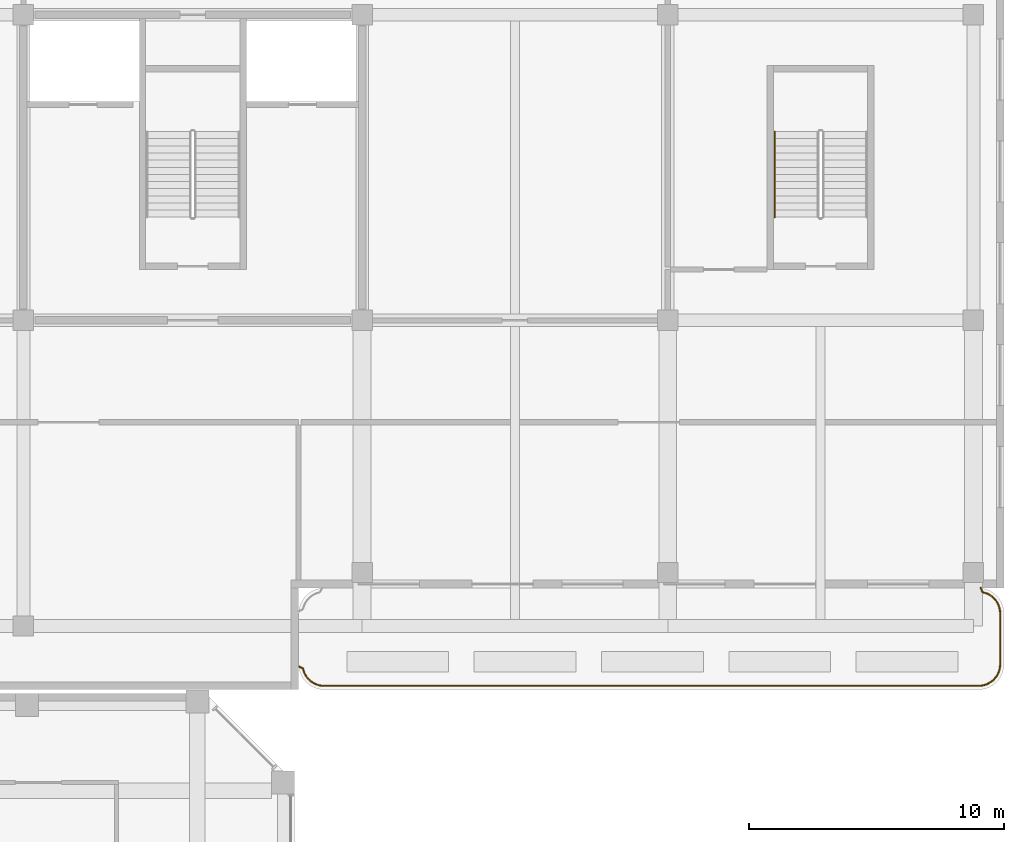
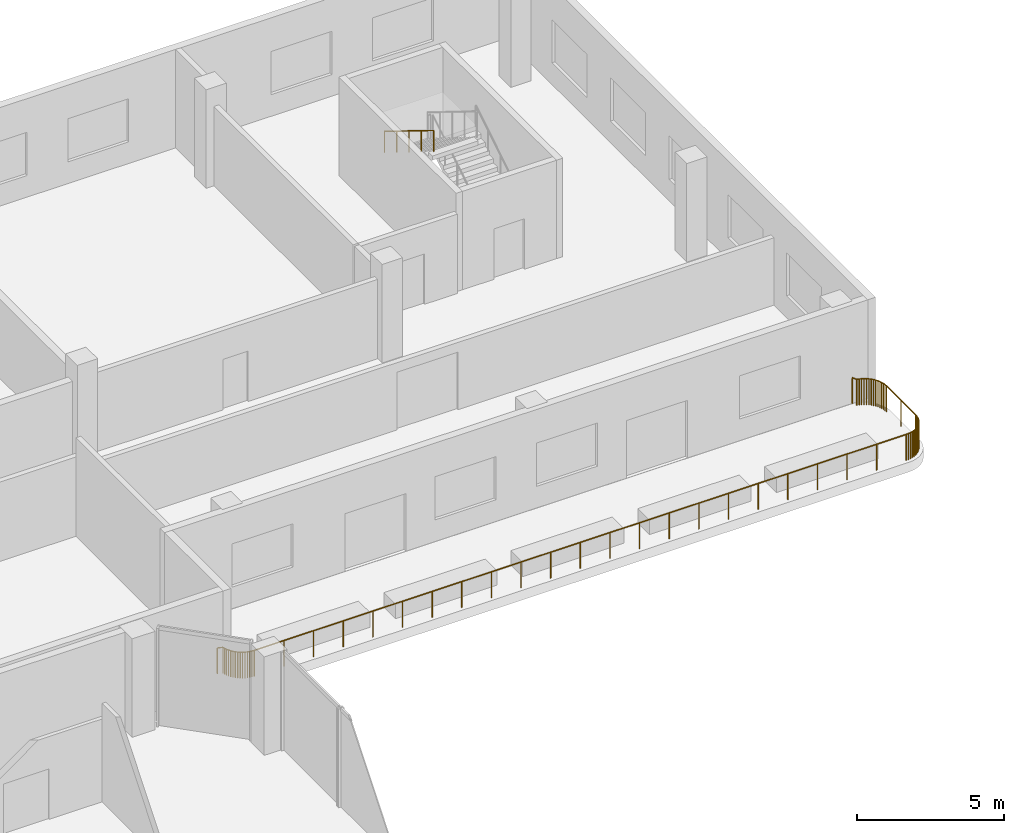
# One storey, part 34 of 35: 2 railings.
"""IFC4 building model written with IfcOpenShell, lengths in metres."""

from ifc_helpers import new_model, si_unit, direction, frame, origin, origin_2d, place, context, subcontext, project, spatial, circle, extrude, material, type_object, element, save


model = new_model("IFC4")

# Units and contexts
model_context = context("Model", 3, precision=1e-05, world=origin(), true_north=direction((0.0, 1.0)))
body_context = subcontext(model_context, "Body", "Model", "MODEL_VIEW")
ifc_project = project(units=[si_unit("LENGTHUNIT", "METRE"), si_unit("AREAUNIT", "SQUARE_METRE"), si_unit("VOLUMEUNIT", "CUBIC_METRE"), si_unit("PLANEANGLEUNIT", "RADIAN"), si_unit("MASSUNIT", "GRAM", prefix="KILO")], contexts=[model_context])

# Site, building, storey
site_placement = place(None, origin())
site = spatial("IfcSite", under=ifc_project, at=site_placement, CompositionType="ELEMENT")
building_placement = place(site_placement, origin())
building = spatial("IfcBuilding", under=site, at=building_placement, Name="Kilnfold Tower and Market Hall", CompositionType="ELEMENT")
storey_placement = place(building_placement, frame((0.0, 0.0, 13.5)))
storey = spatial("IfcBuildingStorey", under=building, at=storey_placement, Name="L02", CompositionType="ELEMENT", Elevation=13.5)

# Railings
ifc_material_1 = material(Name="Steel S355", Category="steel")
railing_type_1 = type_object("IfcRailingType", Name="HALL STAIR HANDRAIL", PredefinedType="HANDRAIL", material=ifc_material_1)
railing_1_placement = place(storey_placement, frame((46.85009765625, 50.06005859375, 2.423095703125)))
element("IfcRailing", 1, at=railing_1_placement, inside=storey, type_object=railing_type_1, Name="L02 MS6 stair handrail 2", PredefinedType="HANDRAIL", context=body_context, shape_type="SweptSolid", body=[
    extrude(circle(Radius=0.02392578125, at=origin_2d()), frame((0.0, 0.0, 0.8759765625), z_axis=(0.0, -0.850623216509, 0.525775754039), x_axis=(1.0, 0.0, 0.0)), (0.0, 0.0, 1.0), 3.9501953125),
    extrude(circle(Radius=0.02099609375, at=origin_2d()), origin(), (0.0, 0.0, 1.0), 0.851806640625),
    extrude(circle(Radius=0.02099609375, at=origin_2d()), frame((0.0, -0.840087890625, 0.519287109375)), (0.0, 0.0, 1.0), 0.851806640625),
    extrude(circle(Radius=0.02099609375, at=origin_2d()), frame((0.0, -1.68017578125, 1.03857421875)), (0.0, 0.0, 1.0), 0.851806640625),
    extrude(circle(Radius=0.02099609375, at=origin_2d()), frame((0.0, -2.52001953125, 1.5576171875)), (0.0, 0.0, 1.0), 0.851806640625),
    extrude(circle(Radius=0.02099609375, at=origin_2d()), frame((0.0, -3.360107421875, 2.076904296875)), (0.0, 0.0, 1.0), 0.851806640625),
])
ifc_material_2 = material(Name="Steel S355", Category="steel")
railing_type_2 = type_object("IfcRailingType", Name="TERRACE GUARD 1100", PredefinedType="GUARDRAIL", material=ifc_material_2)
railing_2_placement = place(storey_placement, frame((54.933349609375, 32.14990234375, 0.0)))
element("IfcRailing", 2, at=railing_2_placement, inside=storey, type_object=railing_type_2, Name="Terrace guard L02", PredefinedType="GUARDRAIL", context=body_context, shape_type="SweptSolid", body=[
    extrude(circle(Radius=0.02392578125, at=origin_2d()), frame((0.0, 0.0, 1.076171875), z_axis=(0.42350270475, -0.905894838858, 0.0), x_axis=(0.905894838858, 0.42350270475, 0.0)), (0.0, 0.0, 1.0), 0.19482421875),
    extrude(circle(Radius=0.02392578125, at=origin_2d()), frame((0.08251953125, -0.176513671875, 1.076171875), z_axis=(0.969969877317, -0.243225074977, 0.0), x_axis=(0.243225074977, 0.969969877317, 0.0)), (0.0, 0.0, 1.0), 0.083251953125),
    extrude(circle(Radius=0.02392578125, at=origin_2d()), frame((0.163330078125, -0.19677734375, 1.076171875), z_axis=(0.941741911595, -0.336336396998, 0.0), x_axis=(0.336336396998, 0.941741911595, 0.0)), (0.0, 0.0, 1.0), 0.08349609375),
    extrude(circle(Radius=0.02392578125, at=origin_2d()), frame((0.241943359375, -0.224853515625, 1.076171875), z_axis=(0.903618326629, -0.428338557428, 0.0), x_axis=(0.428338557428, 0.903618326629, 0.0)), (0.0, 0.0, 1.0), 0.083251953125),
    extrude(circle(Radius=0.02392578125, at=origin_2d()), frame((0.317138671875, -0.260498046875, 1.076171875), z_axis=(0.858525353686, -0.512771115683, 0.0), x_axis=(0.512771115683, 0.858525353686, 0.0)), (0.0, 0.0, 1.0), 0.083251953125),
    extrude(circle(Radius=0.02392578125, at=origin_2d()), frame((0.388671875, -0.30322265625, 1.076171875), z_axis=(0.803143107794, -0.595786159963, 0.0), x_axis=(0.595786159963, 0.803143107794, 0.0)), (0.0, 0.0, 1.0), 0.08349609375),
    extrude(circle(Radius=0.02392578125, at=origin_2d()), frame((0.455810546875, -0.35302734375, 1.076171875), z_axis=(0.741396915291, -0.671066773129, 0.0), x_axis=(0.671066773129, 0.741396915291, 0.0)), (0.0, 0.0, 1.0), 0.083251953125),
    extrude(circle(Radius=0.02392578125, at=origin_2d()), frame((0.517578125, -0.408935546875, 1.076171875), z_axis=(0.671066773129, -0.741396915291, 0.0), x_axis=(0.741396915291, 0.671066773129, 0.0)), (0.0, 0.0, 1.0), 0.083251953125),
    extrude(circle(Radius=0.02392578125, at=origin_2d()), frame((0.573486328125, -0.470703125, 1.076171875), z_axis=(0.595786159963, -0.803143107794, 0.0), x_axis=(0.803143107794, 0.595786159963, 0.0)), (0.0, 0.0, 1.0), 0.08349609375),
    extrude(circle(Radius=0.02392578125, at=origin_2d()), frame((0.623291015625, -0.537841796875, 1.076171875), z_axis=(0.514925942955, -0.857234666397, 0.0), x_axis=(0.857234666397, 0.514925942955, 0.0)), (0.0, 0.0, 1.0), 0.08349609375),
    extrude(circle(Radius=0.02392578125, at=origin_2d()), frame((0.666259765625, -0.609375, 1.076171875), z_axis=(0.424809143949, -0.905282934346, 0.0), x_axis=(0.905282934346, 0.424809143949, 0.0)), (0.0, 0.0, 1.0), 0.083251953125),
    extrude(circle(Radius=0.02392578125, at=origin_2d()), frame((0.70166015625, -0.684814453125, 1.076171875), z_axis=(0.337265155703, -0.941409695483, 0.0), x_axis=(0.941409695483, 0.337265155703, 0.0)), (0.0, 0.0, 1.0), 0.083251953125),
    extrude(circle(Radius=0.02392578125, at=origin_2d()), frame((0.729736328125, -0.76318359375, 1.076171875), z_axis=(0.245979182383, -0.969275111531, 0.0), x_axis=(0.969275111531, 0.245979182383, 0.0)), (0.0, 0.0, 1.0), 0.083251953125),
    extrude(circle(Radius=0.02392578125, at=origin_2d()), frame((0.750244140625, -0.843994140625, 1.076171875), z_axis=(0.146336518873, -0.989234867584, 0.0), x_axis=(0.989234867584, 0.146336518873, 0.0)), (0.0, 0.0, 1.0), 0.08349609375),
    extrude(circle(Radius=0.02392578125, at=origin_2d()), frame((0.762451171875, -0.926513671875, 1.076171875), z_axis=(0.047565149415, -0.998868137724, 0.0), x_axis=(0.998868137724, 0.047565149415, 0.0)), (0.0, 0.0, 1.0), 0.087158203125),
    extrude(circle(Radius=0.02392578125, at=origin_2d()), frame((0.7666015625, -1.013671875, 1.076171875), z_axis=(0.0, -1.0, 0.0), x_axis=(1.0, 0.0, 0.0)), (0.0, 0.0, 1.0), 1.982421875),
    extrude(circle(Radius=0.02392578125, at=origin_2d()), frame((0.7666015625, -2.99609375, 1.076171875), z_axis=(-0.047565149415, -0.998868137724, 0.0), x_axis=(0.998868137724, -0.047565149415, 0.0)), (0.0, 0.0, 1.0), 0.087158203125),
    extrude(circle(Radius=0.02392578125, at=origin_2d()), frame((0.762451171875, -3.083251953125, 1.076171875), z_axis=(-0.146336518873, -0.989234867584, 0.0), x_axis=(0.989234867584, -0.146336518873, 0.0)), (0.0, 0.0, 1.0), 0.08349609375),
    extrude(circle(Radius=0.02392578125, at=origin_2d()), frame((0.750244140625, -3.165771484375, 1.076171875), z_axis=(-0.245979182383, -0.969275111531, 0.0), x_axis=(0.969275111531, -0.245979182383, 0.0)), (0.0, 0.0, 1.0), 0.083251953125),
    extrude(circle(Radius=0.02392578125, at=origin_2d()), frame((0.729736328125, -3.24658203125, 1.076171875), z_axis=(-0.336336396998, -0.941741911595, 0.0), x_axis=(0.941741911595, -0.336336396998, 0.0)), (0.0, 0.0, 1.0), 0.08349609375),
    extrude(circle(Radius=0.02392578125, at=origin_2d()), frame((0.70166015625, -3.3251953125, 1.076171875), z_axis=(-0.425938497463, -0.904752118748, 0.0), x_axis=(0.904752118748, -0.425938497463, 0.0)), (0.0, 0.0, 1.0), 0.0830078125),
    extrude(circle(Radius=0.02392578125, at=origin_2d()), frame((0.666259765625, -3.400390625, 1.076171875), z_axis=(-0.514925942955, -0.857234666397, 0.0), x_axis=(0.857234666397, -0.514925942955, 0.0)), (0.0, 0.0, 1.0), 0.08349609375),
    extrude(circle(Radius=0.02392578125, at=origin_2d()), frame((0.623291015625, -3.471923828125, 1.076171875), z_axis=(-0.595786159963, -0.803143107794, 0.0), x_axis=(0.803143107794, -0.595786159963, 0.0)), (0.0, 0.0, 1.0), 0.08349609375),
    extrude(circle(Radius=0.02392578125, at=origin_2d()), frame((0.573486328125, -3.5390625, 1.076171875), z_axis=(-0.671066773129, -0.741396915291, 0.0), x_axis=(0.741396915291, -0.671066773129, 0.0)), (0.0, 0.0, 1.0), 0.083251953125),
    extrude(circle(Radius=0.02392578125, at=origin_2d()), frame((0.517578125, -3.600830078125, 1.076171875), z_axis=(-0.741396915291, -0.671066773129, 0.0), x_axis=(0.671066773129, -0.741396915291, 0.0)), (0.0, 0.0, 1.0), 0.083251953125),
    extrude(circle(Radius=0.02392578125, at=origin_2d()), frame((0.455810546875, -3.65673828125, 1.076171875), z_axis=(-0.803143107794, -0.595786159963, 0.0), x_axis=(0.595786159963, -0.803143107794, 0.0)), (0.0, 0.0, 1.0), 0.08349609375),
    extrude(circle(Radius=0.02392578125, at=origin_2d()), frame((0.388671875, -3.70654296875, 1.076171875), z_axis=(-0.857234666397, -0.514925942955, 0.0), x_axis=(0.514925942955, -0.857234666397, 0.0)), (0.0, 0.0, 1.0), 0.08349609375),
    extrude(circle(Radius=0.02392578125, at=origin_2d()), frame((0.317138671875, -3.74951171875, 1.076171875), z_axis=(-0.904752118748, -0.425938497463, 0.0), x_axis=(0.425938497463, -0.904752118748, 0.0)), (0.0, 0.0, 1.0), 0.0830078125),
    extrude(circle(Radius=0.02392578125, at=origin_2d()), frame((0.241943359375, -3.784912109375, 1.076171875), z_axis=(-0.941741911595, -0.336336396998, 0.0), x_axis=(0.336336396998, -0.941741911595, 0.0)), (0.0, 0.0, 1.0), 0.08349609375),
    extrude(circle(Radius=0.02392578125, at=origin_2d()), frame((0.163330078125, -3.81298828125, 1.076171875), z_axis=(-0.969275111531, -0.245979182383, 0.0), x_axis=(0.245979182383, -0.969275111531, 0.0)), (0.0, 0.0, 1.0), 0.083251953125),
    extrude(circle(Radius=0.02392578125, at=origin_2d()), frame((0.08251953125, -3.83349609375, 1.076171875), z_axis=(-0.989234867584, -0.146336518873, 0.0), x_axis=(0.146336518873, -0.989234867584, 0.0)), (0.0, 0.0, 1.0), 0.08349609375),
    extrude(circle(Radius=0.02392578125, at=origin_2d()), frame((0.0, -3.845703125, 1.076171875), z_axis=(-0.998868137724, -0.047565149415, 0.0), x_axis=(0.047565149415, -0.998868137724, 0.0)), (0.0, 0.0, 1.0), 0.087158203125),
    extrude(circle(Radius=0.02392578125, at=origin_2d()), frame((-0.087158203125, -3.849853515625, 1.076171875), z_axis=(-1.0, 0.0, 0.0), x_axis=(0.0, -1.0, 0.0)), (0.0, 0.0, 1.0), 25.682373046875),
    extrude(circle(Radius=0.02392578125, at=origin_2d()), frame((-25.76953125, -3.849853515625, 1.076171875), z_axis=(-0.998868137724, 0.047565149415, 0.0), x_axis=(-0.047565149415, -0.998868137724, 0.0)), (0.0, 0.0, 1.0), 0.087158203125),
    extrude(circle(Radius=0.02392578125, at=origin_2d()), frame((-25.856689453125, -3.845703125, 1.076171875), z_axis=(-0.989234867584, 0.146336518873, 0.0), x_axis=(-0.146336518873, -0.989234867584, 0.0)), (0.0, 0.0, 1.0), 0.08349609375),
    extrude(circle(Radius=0.02392578125, at=origin_2d()), frame((-25.939208984375, -3.83349609375, 1.076171875), z_axis=(-0.969275111531, 0.245979182383, 0.0), x_axis=(-0.245979182383, -0.969275111531, 0.0)), (0.0, 0.0, 1.0), 0.083251953125),
    extrude(circle(Radius=0.02392578125, at=origin_2d()), frame((-26.02001953125, -3.81298828125, 1.076171875), z_axis=(-0.941741911595, 0.336336396998, 0.0), x_axis=(-0.336336396998, -0.941741911595, 0.0)), (0.0, 0.0, 1.0), 0.08349609375),
    extrude(circle(Radius=0.02392578125, at=origin_2d()), frame((-26.0986328125, -3.784912109375, 1.076171875), z_axis=(-0.904752118748, 0.425938497463, 0.0), x_axis=(-0.425938497463, -0.904752118748, 0.0)), (0.0, 0.0, 1.0), 0.0830078125),
    extrude(circle(Radius=0.02392578125, at=origin_2d()), frame((-26.173828125, -3.74951171875, 1.076171875), z_axis=(-0.857234666397, 0.514925942955, 0.0), x_axis=(-0.514925942955, -0.857234666397, 0.0)), (0.0, 0.0, 1.0), 0.08349609375),
    extrude(circle(Radius=0.02392578125, at=origin_2d()), frame((-26.245361328125, -3.70654296875, 1.076171875), z_axis=(-0.803143107794, 0.595786159963, 0.0), x_axis=(-0.595786159963, -0.803143107794, 0.0)), (0.0, 0.0, 1.0), 0.08349609375),
    extrude(circle(Radius=0.02392578125, at=origin_2d()), frame((-26.3125, -3.65673828125, 1.076171875), z_axis=(-0.741396915291, 0.671066773129, 0.0), x_axis=(-0.671066773129, -0.741396915291, 0.0)), (0.0, 0.0, 1.0), 0.083251953125),
    extrude(circle(Radius=0.02392578125, at=origin_2d()), frame((-26.374267578125, -3.600830078125, 1.076171875), z_axis=(-0.671066773129, 0.741396915291, 0.0), x_axis=(-0.741396915291, -0.671066773129, 0.0)), (0.0, 0.0, 1.0), 0.083251953125),
    extrude(circle(Radius=0.02392578125, at=origin_2d()), frame((-26.43017578125, -3.5390625, 1.076171875), z_axis=(-0.595786159963, 0.803143107794, 0.0), x_axis=(-0.803143107794, -0.595786159963, 0.0)), (0.0, 0.0, 1.0), 0.08349609375),
    extrude(circle(Radius=0.02392578125, at=origin_2d()), frame((-26.47998046875, -3.471923828125, 1.076171875), z_axis=(-0.514925942955, 0.857234666397, 0.0), x_axis=(-0.857234666397, -0.514925942955, 0.0)), (0.0, 0.0, 1.0), 0.08349609375),
    extrude(circle(Radius=0.02392578125, at=origin_2d()), frame((-26.52294921875, -3.400390625, 1.076171875), z_axis=(-0.425938497463, 0.904752118748, 0.0), x_axis=(-0.904752118748, -0.425938497463, 0.0)), (0.0, 0.0, 1.0), 0.0830078125),
    extrude(circle(Radius=0.02392578125, at=origin_2d()), frame((-26.558349609375, -3.3251953125, 1.076171875), z_axis=(-0.338926384952, 0.940812896161, 0.0), x_axis=(-0.940812896161, -0.338926384952, 0.0)), (0.0, 0.0, 1.0), 0.08349609375),
    extrude(circle(Radius=0.02392578125, at=origin_2d()), frame((-26.586669921875, -3.24658203125, 1.076171875), z_axis=(-0.243225074977, 0.969969877317, 0.0), x_axis=(-0.969969877317, -0.243225074977, 0.0)), (0.0, 0.0, 1.0), 0.083251953125),
    extrude(circle(Radius=0.02392578125, at=origin_2d()), frame((-26.60693359375, -3.165771484375, 1.076171875), z_axis=(-0.905894838858, 0.42350270475, 0.0), x_axis=(-0.42350270475, -0.905894838858, 0.0)), (0.0, 0.0, 1.0), 0.19482421875),
    extrude(circle(Radius=0.02099609375, at=origin_2d()), origin(), (0.0, 0.0, 1.0), 1.052001953125),
    extrude(circle(Radius=0.02099609375, at=origin_2d()), frame((0.08251953125, -0.176513671875, 0.0)), (0.0, 0.0, 1.0), 1.052001953125),
    extrude(circle(Radius=0.02099609375, at=origin_2d()), frame((0.163330078125, -0.19677734375, 0.0)), (0.0, 0.0, 1.0), 1.052001953125),
    extrude(circle(Radius=0.02099609375, at=origin_2d()), frame((0.241943359375, -0.224853515625, 0.0)), (0.0, 0.0, 1.0), 1.052001953125),
    extrude(circle(Radius=0.02099609375, at=origin_2d()), frame((0.317138671875, -0.260498046875, 0.0)), (0.0, 0.0, 1.0), 1.052001953125),
    extrude(circle(Radius=0.02099609375, at=origin_2d()), frame((0.388671875, -0.30322265625, 0.0)), (0.0, 0.0, 1.0), 1.052001953125),
    extrude(circle(Radius=0.02099609375, at=origin_2d()), frame((0.455810546875, -0.35302734375, 0.0)), (0.0, 0.0, 1.0), 1.052001953125),
    extrude(circle(Radius=0.02099609375, at=origin_2d()), frame((0.517578125, -0.408935546875, 0.0)), (0.0, 0.0, 1.0), 1.052001953125),
    extrude(circle(Radius=0.02099609375, at=origin_2d()), frame((0.573486328125, -0.470703125, 0.0)), (0.0, 0.0, 1.0), 1.052001953125),
    extrude(circle(Radius=0.02099609375, at=origin_2d()), frame((0.623291015625, -0.537841796875, 0.0)), (0.0, 0.0, 1.0), 1.052001953125),
    extrude(circle(Radius=0.02099609375, at=origin_2d()), frame((0.666259765625, -0.609375, 0.0)), (0.0, 0.0, 1.0), 1.052001953125),
    extrude(circle(Radius=0.02099609375, at=origin_2d()), frame((0.70166015625, -0.684814453125, 0.0)), (0.0, 0.0, 1.0), 1.052001953125),
    extrude(circle(Radius=0.02099609375, at=origin_2d()), frame((0.729736328125, -0.76318359375, 0.0)), (0.0, 0.0, 1.0), 1.052001953125),
    extrude(circle(Radius=0.02099609375, at=origin_2d()), frame((0.750244140625, -0.843994140625, 0.0)), (0.0, 0.0, 1.0), 1.052001953125),
    extrude(circle(Radius=0.02099609375, at=origin_2d()), frame((0.762451171875, -0.926513671875, 0.0)), (0.0, 0.0, 1.0), 1.052001953125),
    extrude(circle(Radius=0.02099609375, at=origin_2d()), frame((0.7666015625, -1.013671875, 0.0)), (0.0, 0.0, 1.0), 1.052001953125),
    extrude(circle(Radius=0.02099609375, at=origin_2d()), frame((0.7666015625, -2.0048828125, 0.0)), (0.0, 0.0, 1.0), 1.052001953125),
    extrude(circle(Radius=0.02099609375, at=origin_2d()), frame((0.7666015625, -2.99609375, 0.0)), (0.0, 0.0, 1.0), 1.052001953125),
    extrude(circle(Radius=0.02099609375, at=origin_2d()), frame((0.762451171875, -3.083251953125, 0.0)), (0.0, 0.0, 1.0), 1.052001953125),
    extrude(circle(Radius=0.02099609375, at=origin_2d()), frame((0.750244140625, -3.165771484375, 0.0)), (0.0, 0.0, 1.0), 1.052001953125),
    extrude(circle(Radius=0.02099609375, at=origin_2d()), frame((0.729736328125, -3.24658203125, 0.0)), (0.0, 0.0, 1.0), 1.052001953125),
    extrude(circle(Radius=0.02099609375, at=origin_2d()), frame((0.70166015625, -3.3251953125, 0.0)), (0.0, 0.0, 1.0), 1.052001953125),
    extrude(circle(Radius=0.02099609375, at=origin_2d()), frame((0.666259765625, -3.400390625, 0.0)), (0.0, 0.0, 1.0), 1.052001953125),
    extrude(circle(Radius=0.02099609375, at=origin_2d()), frame((0.623291015625, -3.471923828125, 0.0)), (0.0, 0.0, 1.0), 1.052001953125),
    extrude(circle(Radius=0.02099609375, at=origin_2d()), frame((0.573486328125, -3.5390625, 0.0)), (0.0, 0.0, 1.0), 1.052001953125),
    extrude(circle(Radius=0.02099609375, at=origin_2d()), frame((0.517578125, -3.600830078125, 0.0)), (0.0, 0.0, 1.0), 1.052001953125),
    extrude(circle(Radius=0.02099609375, at=origin_2d()), frame((0.455810546875, -3.65673828125, 0.0)), (0.0, 0.0, 1.0), 1.052001953125),
    extrude(circle(Radius=0.02099609375, at=origin_2d()), frame((0.388671875, -3.70654296875, 0.0)), (0.0, 0.0, 1.0), 1.052001953125),
    extrude(circle(Radius=0.02099609375, at=origin_2d()), frame((0.317138671875, -3.74951171875, 0.0)), (0.0, 0.0, 1.0), 1.052001953125),
    extrude(circle(Radius=0.02099609375, at=origin_2d()), frame((0.241943359375, -3.784912109375, 0.0)), (0.0, 0.0, 1.0), 1.052001953125),
    extrude(circle(Radius=0.02099609375, at=origin_2d()), frame((0.163330078125, -3.81298828125, 0.0)), (0.0, 0.0, 1.0), 1.052001953125),
    extrude(circle(Radius=0.02099609375, at=origin_2d()), frame((0.08251953125, -3.83349609375, 0.0)), (0.0, 0.0, 1.0), 1.052001953125),
    extrude(circle(Radius=0.02099609375, at=origin_2d()), frame((0.0, -3.845703125, 0.0)), (0.0, 0.0, 1.0), 1.052001953125),
    extrude(circle(Radius=0.02099609375, at=origin_2d()), frame((-0.087158203125, -3.849853515625, 0.0)), (0.0, 0.0, 1.0), 1.052001953125),
    extrude(circle(Radius=0.02099609375, at=origin_2d()), frame((-1.254638671875, -3.849853515625, 0.0)), (0.0, 0.0, 1.0), 1.052001953125),
    extrude(circle(Radius=0.02099609375, at=origin_2d()), frame((-2.421875, -3.849853515625, 0.0)), (0.0, 0.0, 1.0), 1.052001953125),
    extrude(circle(Radius=0.02099609375, at=origin_2d()), frame((-3.58935546875, -3.849853515625, 0.0)), (0.0, 0.0, 1.0), 1.052001953125),
    extrude(circle(Radius=0.02099609375, at=origin_2d()), frame((-4.756591796875, -3.849853515625, 0.0)), (0.0, 0.0, 1.0), 1.052001953125),
    extrude(circle(Radius=0.02099609375, at=origin_2d()), frame((-5.924072265625, -3.849853515625, 0.0)), (0.0, 0.0, 1.0), 1.052001953125),
    extrude(circle(Radius=0.02099609375, at=origin_2d()), frame((-7.091552734375, -3.849853515625, 0.0)), (0.0, 0.0, 1.0), 1.052001953125),
    extrude(circle(Radius=0.02099609375, at=origin_2d()), frame((-8.2587890625, -3.849853515625, 0.0)), (0.0, 0.0, 1.0), 1.052001953125),
    extrude(circle(Radius=0.02099609375, at=origin_2d()), frame((-9.42626953125, -3.849853515625, 0.0)), (0.0, 0.0, 1.0), 1.052001953125),
    extrude(circle(Radius=0.02099609375, at=origin_2d()), frame((-10.593505859375, -3.849853515625, 0.0)), (0.0, 0.0, 1.0), 1.052001953125),
    extrude(circle(Radius=0.02099609375, at=origin_2d()), frame((-11.760986328125, -3.849853515625, 0.0)), (0.0, 0.0, 1.0), 1.052001953125),
    extrude(circle(Radius=0.02099609375, at=origin_2d()), frame((-12.92822265625, -3.849853515625, 0.0)), (0.0, 0.0, 1.0), 1.052001953125),
    extrude(circle(Radius=0.02099609375, at=origin_2d()), frame((-14.095703125, -3.849853515625, 0.0)), (0.0, 0.0, 1.0), 1.052001953125),
    extrude(circle(Radius=0.02099609375, at=origin_2d()), frame((-15.26318359375, -3.849853515625, 0.0)), (0.0, 0.0, 1.0), 1.052001953125),
    extrude(circle(Radius=0.02099609375, at=origin_2d()), frame((-16.430419921875, -3.849853515625, 0.0)), (0.0, 0.0, 1.0), 1.052001953125),
    extrude(circle(Radius=0.02099609375, at=origin_2d()), frame((-17.597900390625, -3.849853515625, 0.0)), (0.0, 0.0, 1.0), 1.052001953125),
    extrude(circle(Radius=0.02099609375, at=origin_2d()), frame((-18.76513671875, -3.849853515625, 0.0)), (0.0, 0.0, 1.0), 1.052001953125),
    extrude(circle(Radius=0.02099609375, at=origin_2d()), frame((-19.9326171875, -3.849853515625, 0.0)), (0.0, 0.0, 1.0), 1.052001953125),
    extrude(circle(Radius=0.02099609375, at=origin_2d()), frame((-21.10009765625, -3.849853515625, 0.0)), (0.0, 0.0, 1.0), 1.052001953125),
    extrude(circle(Radius=0.02099609375, at=origin_2d()), frame((-22.267333984375, -3.849853515625, 0.0)), (0.0, 0.0, 1.0), 1.052001953125),
    extrude(circle(Radius=0.02099609375, at=origin_2d()), frame((-23.434814453125, -3.849853515625, 0.0)), (0.0, 0.0, 1.0), 1.052001953125),
    extrude(circle(Radius=0.02099609375, at=origin_2d()), frame((-24.60205078125, -3.849853515625, 0.0)), (0.0, 0.0, 1.0), 1.052001953125),
    extrude(circle(Radius=0.02099609375, at=origin_2d()), frame((-25.76953125, -3.849853515625, 0.0)), (0.0, 0.0, 1.0), 1.052001953125),
    extrude(circle(Radius=0.02099609375, at=origin_2d()), frame((-25.856689453125, -3.845703125, 0.0)), (0.0, 0.0, 1.0), 1.052001953125),
    extrude(circle(Radius=0.02099609375, at=origin_2d()), frame((-25.939208984375, -3.83349609375, 0.0)), (0.0, 0.0, 1.0), 1.052001953125),
    extrude(circle(Radius=0.02099609375, at=origin_2d()), frame((-26.02001953125, -3.81298828125, 0.0)), (0.0, 0.0, 1.0), 1.052001953125),
    extrude(circle(Radius=0.02099609375, at=origin_2d()), frame((-26.0986328125, -3.784912109375, 0.0)), (0.0, 0.0, 1.0), 1.052001953125),
    extrude(circle(Radius=0.02099609375, at=origin_2d()), frame((-26.173828125, -3.74951171875, 0.0)), (0.0, 0.0, 1.0), 1.052001953125),
    extrude(circle(Radius=0.02099609375, at=origin_2d()), frame((-26.245361328125, -3.70654296875, 0.0)), (0.0, 0.0, 1.0), 1.052001953125),
    extrude(circle(Radius=0.02099609375, at=origin_2d()), frame((-26.3125, -3.65673828125, 0.0)), (0.0, 0.0, 1.0), 1.052001953125),
    extrude(circle(Radius=0.02099609375, at=origin_2d()), frame((-26.374267578125, -3.600830078125, 0.0)), (0.0, 0.0, 1.0), 1.052001953125),
    extrude(circle(Radius=0.02099609375, at=origin_2d()), frame((-26.43017578125, -3.5390625, 0.0)), (0.0, 0.0, 1.0), 1.052001953125),
    extrude(circle(Radius=0.02099609375, at=origin_2d()), frame((-26.47998046875, -3.471923828125, 0.0)), (0.0, 0.0, 1.0), 1.052001953125),
    extrude(circle(Radius=0.02099609375, at=origin_2d()), frame((-26.52294921875, -3.400390625, 0.0)), (0.0, 0.0, 1.0), 1.052001953125),
    extrude(circle(Radius=0.02099609375, at=origin_2d()), frame((-26.558349609375, -3.3251953125, 0.0)), (0.0, 0.0, 1.0), 1.052001953125),
    extrude(circle(Radius=0.02099609375, at=origin_2d()), frame((-26.586669921875, -3.24658203125, 0.0)), (0.0, 0.0, 1.0), 1.052001953125),
    extrude(circle(Radius=0.02099609375, at=origin_2d()), frame((-26.60693359375, -3.165771484375, 0.0)), (0.0, 0.0, 1.0), 1.052001953125),
    extrude(circle(Radius=0.02099609375, at=origin_2d()), frame((-26.783447265625, -3.083251953125, 0.0)), (0.0, 0.0, 1.0), 1.052001953125),
])

save(model, "model.ifc")
